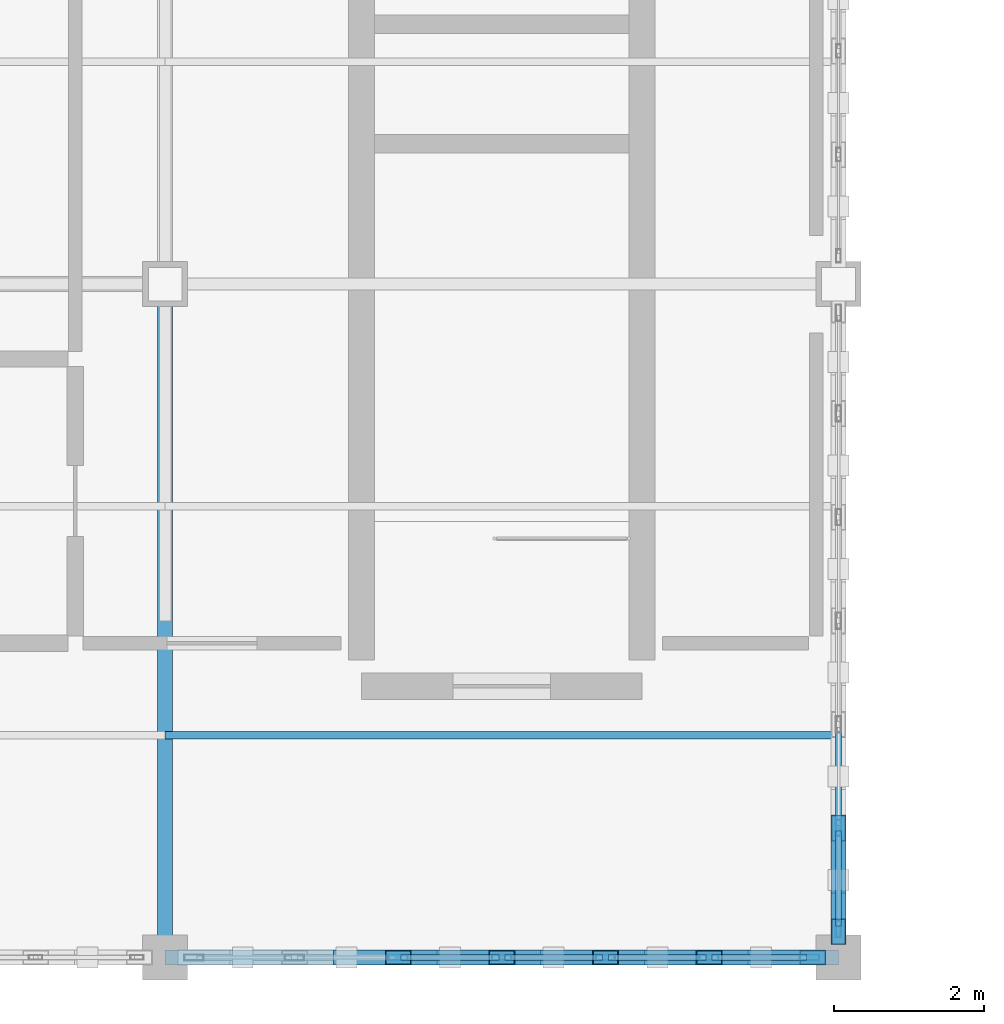
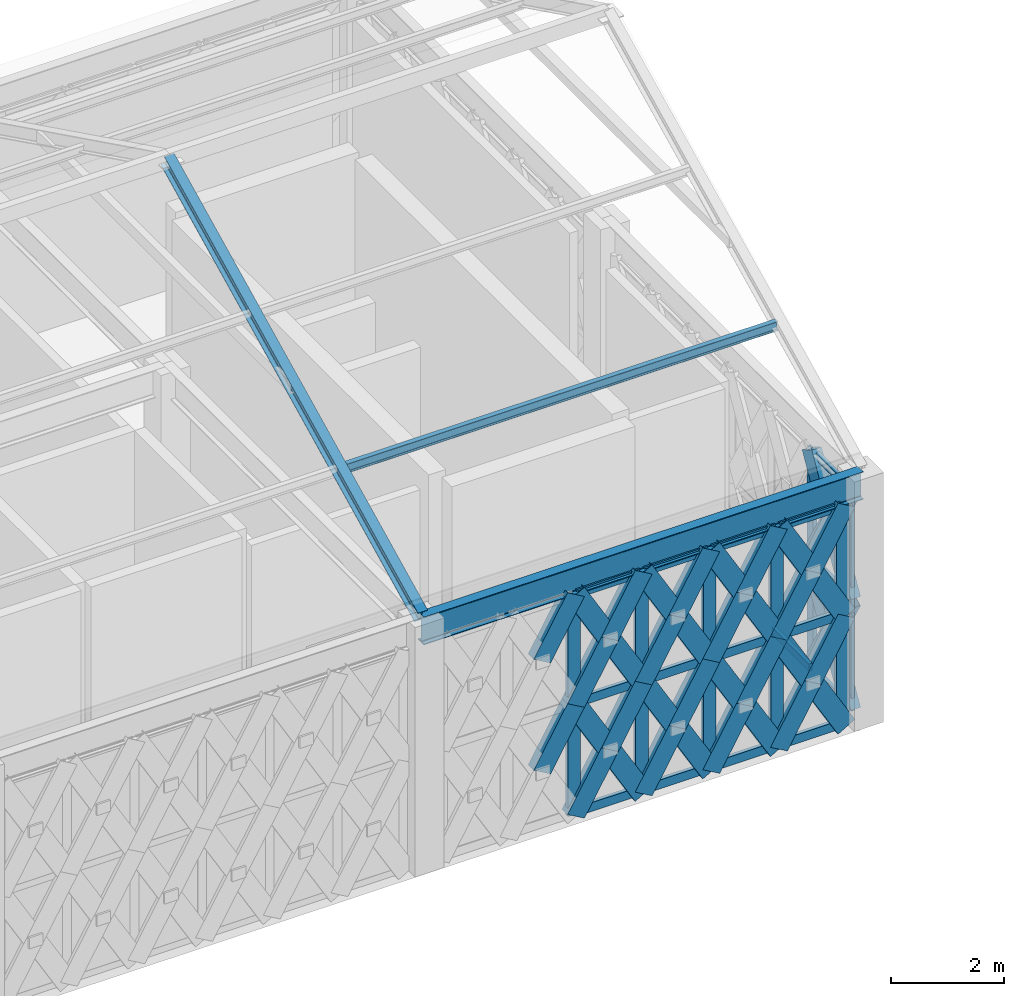
# One storey, part 14 of 32: 57 members, 1 beam, 2 elements without a shape of their own.
"""IFC4 building model written with IfcOpenShell, lengths in metres."""

from ifc_helpers import new_model, si_unit, direction, frame, origin, origin_2d, place, context, subcontext, project, spatial, hollow_rectangle, i_section, extrude, material, material_profile, profile_set, type_object, element, aggregate, save


model = new_model("IFC4")

# Units and contexts
model_context = context("Model", 3, precision=1e-05, world=origin(), true_north=direction((0.0, 1.0)))
body_context = subcontext(model_context, "Body", "Model", "MODEL_VIEW")
ifc_project = project(units=[si_unit("LENGTHUNIT", "METRE"), si_unit("AREAUNIT", "SQUARE_METRE"), si_unit("VOLUMEUNIT", "CUBIC_METRE"), si_unit("PLANEANGLEUNIT", "RADIAN"), si_unit("MASSUNIT", "GRAM", prefix="KILO")], contexts=[model_context])

# Site, building, storey
site_placement = place(None, origin())
site = spatial("IfcSite", under=ifc_project, at=site_placement, CompositionType="ELEMENT")
building_placement = place(site_placement, origin())
building = spatial("IfcBuilding", under=site, at=building_placement, Name="Haizhuo Lancet Aquarium", CompositionType="ELEMENT")
storey_placement = place(building_placement, frame((0.0, 0.0, 27.0)))
storey = spatial("IfcBuildingStorey", under=building, at=storey_placement, Name="L05", CompositionType="ELEMENT", Elevation=27.0)

# Beam
ifc_material_1 = material(Name="Steel S355", Category="steel")
ifc_material_profile_1 = material_profile(ifc_material_1, i_section(OverallWidth=0.199951171875, OverallDepth=0.60009765625, WebThickness=0.010986328125, FlangeThickness=0.01708984375, FilletRadius=0.02197265625, at=origin_2d()), Name="HN 600x200x11x17")
ifc_profile_set_1 = profile_set([ifc_material_profile_1], Name="Steel S355")
beam_type = type_object("IfcBeamType", Name="BM-ST-HN600", PredefinedType="BEAM", material=ifc_profile_set_1)
beam_placement = place(storey_placement, frame((-45.0, -27.0, 5.10009765625), z_axis=(1.0, 0.0, 0.0), x_axis=(0.0, 1.0, 0.0)))
element("IfcBeam", 1, at=beam_placement, inside=storey, type_object=beam_type, Name="L05 V6 primary girder BM-L05-V6-020", PredefinedType="BEAM", context=body_context, shape_type="SweptSolid", body=[
    extrude(i_section(OverallWidth=0.199951171875, OverallDepth=0.60009765625, WebThickness=0.010986328125, FlangeThickness=0.01708984375, FilletRadius=0.02197265625, at=origin_2d()), origin(), (0.0, 0.0, 1.0), 9.0),
])

# Curtain wall, members
ifc_material_2 = material(Name="Aluminium 6063-T6", Category="aluminium")
curtain_wall_type = type_object("IfcCurtainWallType", Name="CWD-8310x4800", PredefinedType="NOTDEFINED", material=ifc_material_2)
curtain_wall_1_placement = place(storey_placement, origin())
curtain_wall_1 = element("IfcCurtainWall", 2, at=curtain_wall_1_placement, inside=storey, type_object=curtain_wall_type, Name="L05 curtain wall CW-V6-L05-266", PredefinedType="NOTDEFINED")
ifc_material_profile_2 = material_profile(ifc_material_2, hollow_rectangle(XDim=0.074951171875, YDim=0.219970703125, WallThickness=0.0048828125, at=origin_2d()), Name="ALU-M 75x220x5")
ifc_profile_set_2 = profile_set([ifc_material_profile_2], Name="Aluminium 6063-T6")
member_type_1 = type_object("IfcMemberType", Name="CW-MUL-2", PredefinedType="MULLION", material=ifc_profile_set_2)
member_1_placement = place(storey_placement, frame((-36.0, -25.27001953125, 0.0), z_axis=(0.0, 0.0, 1.0), x_axis=(1.0, 0.0, 0.0)))
member_1 = element("IfcMember", 3, at=member_1_placement, type_object=member_type_1, Name="CWD-83x48 mullion 6", PredefinedType="MULLION", context=body_context, shape_type="SweptSolid", body=[
    extrude(hollow_rectangle(XDim=0.074951171875, YDim=0.219970703125, WallThickness=0.0048828125, at=origin_2d()), origin(), (0.0, 0.0, 1.0), 4.800048828125),
])
member_2_placement = place(storey_placement, frame((-36.0, -26.616943359375, 0.0), z_axis=(0.0, 0.0, 1.0), x_axis=(1.0, 0.0, 0.0)))
member_2 = element("IfcMember", 4, at=member_2_placement, type_object=member_type_1, Name="CWD-83x48 mullion 7", PredefinedType="MULLION", context=body_context, shape_type="SweptSolid", body=[
    extrude(hollow_rectangle(XDim=0.074951171875, YDim=0.219970703125, WallThickness=0.0048828125, at=origin_2d()), origin(), (0.0, 0.0, 1.0), 4.800048828125),
])

curtain_wall_2_placement = place(storey_placement, origin())
curtain_wall_2 = element("IfcCurtainWall", 5, at=curtain_wall_2_placement, inside=storey, type_object=curtain_wall_type, Name="L05 curtain wall CW-V6-L05-267", PredefinedType="NOTDEFINED")
ifc_material_profile_3 = material_profile(ifc_material_2, hollow_rectangle(XDim=0.080078125, YDim=0.260009765625, WallThickness=0.0048828125, at=origin_2d()), Name="ALU-M 80x260x5")
ifc_profile_set_3 = profile_set([ifc_material_profile_3], Name="Aluminium 6063-T6")
member_type_2 = type_object("IfcMemberType", Name="CW-MUL-3", PredefinedType="MULLION", material=ifc_profile_set_3)
member_3_placement = place(storey_placement, frame((-36.385009765625, -27.0, 0.0), z_axis=(0.0, 0.0, 1.0), x_axis=(0.0, -1.0, 0.0)))
member_3 = element("IfcMember", 6, at=member_3_placement, type_object=member_type_2, Name="CWD-83x48 mullion 1", PredefinedType="MULLION", context=body_context, shape_type="SweptSolid", body=[
    extrude(hollow_rectangle(XDim=0.080078125, YDim=0.260009765625, WallThickness=0.0048828125, at=origin_2d()), origin(), (0.0, 0.0, 1.0), 4.800048828125),
])
member_4_placement = place(storey_placement, frame((-37.72998046875, -27.0, 0.0), z_axis=(0.0, 0.0, 1.0), x_axis=(0.0, -1.0, 0.0)))
member_4 = element("IfcMember", 7, at=member_4_placement, type_object=member_type_2, Name="CWD-83x48 mullion 2", PredefinedType="MULLION", context=body_context, shape_type="SweptSolid", body=[
    extrude(hollow_rectangle(XDim=0.080078125, YDim=0.260009765625, WallThickness=0.0048828125, at=origin_2d()), origin(), (0.0, 0.0, 1.0), 4.800048828125),
])
member_5_placement = place(storey_placement, frame((-39.114990234375, -27.0, 0.0), z_axis=(0.0, 0.0, 1.0), x_axis=(0.0, -1.0, 0.0)))
member_5 = element("IfcMember", 8, at=member_5_placement, type_object=member_type_2, Name="CWD-83x48 mullion 3", PredefinedType="MULLION", context=body_context, shape_type="SweptSolid", body=[
    extrude(hollow_rectangle(XDim=0.080078125, YDim=0.260009765625, WallThickness=0.0048828125, at=origin_2d()), origin(), (0.0, 0.0, 1.0), 4.800048828125),
])
member_6_placement = place(storey_placement, frame((-40.5, -27.0, 0.0), z_axis=(0.0, 0.0, 1.0), x_axis=(0.0, -1.0, 0.0)))
member_6 = element("IfcMember", 9, at=member_6_placement, type_object=member_type_2, Name="CWD-83x48 mullion 4", PredefinedType="MULLION", context=body_context, shape_type="SweptSolid", body=[
    extrude(hollow_rectangle(XDim=0.080078125, YDim=0.260009765625, WallThickness=0.0048828125, at=origin_2d()), origin(), (0.0, 0.0, 1.0), 4.800048828125),
])
member_7_placement = place(storey_placement, frame((-41.885009765625, -27.0, 0.0), z_axis=(0.0, 0.0, 1.0), x_axis=(0.0, -1.0, 0.0)))
member_7 = element("IfcMember", 10, at=member_7_placement, type_object=member_type_2, Name="CWD-83x48 mullion 5", PredefinedType="MULLION", context=body_context, shape_type="SweptSolid", body=[
    extrude(hollow_rectangle(XDim=0.080078125, YDim=0.260009765625, WallThickness=0.0048828125, at=origin_2d()), origin(), (0.0, 0.0, 1.0), 4.800048828125),
])

# Member
ifc_material_profile_4 = material_profile(ifc_material_2, hollow_rectangle(XDim=0.074951171875, YDim=0.159912109375, WallThickness=0.00390625, at=origin_2d()), Name="ALU-T 75x160x4")
ifc_profile_set_4 = profile_set([ifc_material_profile_4], Name="Aluminium 6063-T6")
member_type_3 = type_object("IfcMemberType", Name="CW-TRN-2", PredefinedType="NOTDEFINED", material=ifc_profile_set_4)
member_8_placement = place(storey_placement, frame((-36.0, -23.922119140625, 0.0380859375), z_axis=(0.0, -1.0, 0.0), x_axis=(1.0, 0.0, 0.0)))
member_8 = element("IfcMember", 11, at=member_8_placement, type_object=member_type_3, Name="CWD-83x48 transom 5.1", ObjectType="TRANSOM", PredefinedType="USERDEFINED", context=body_context, shape_type="SweptSolid", body=[
    extrude(hollow_rectangle(XDim=0.074951171875, YDim=0.159912109375, WallThickness=0.00390625, at=origin_2d()), origin(), (0.0, 0.0, 1.0), 1.310791015625),
])

member_9_placement = place(storey_placement, frame((-36.0, -25.30810546875, 0.0380859375), z_axis=(0.0, -1.0, 0.0), x_axis=(1.0, 0.0, 0.0)))
member_9 = element("IfcMember", 12, at=member_9_placement, type_object=member_type_3, Name="CWD-83x48 transom 6.1", ObjectType="TRANSOM", PredefinedType="USERDEFINED", context=body_context, shape_type="SweptSolid", body=[
    extrude(hollow_rectangle(XDim=0.074951171875, YDim=0.159912109375, WallThickness=0.00390625, at=origin_2d()), origin(), (0.0, 0.0, 1.0), 1.27197265625),
])

member_10_placement = place(storey_placement, frame((-36.0, -25.30810546875, 2.39990234375), z_axis=(0.0, -1.0, 0.0), x_axis=(1.0, 0.0, 0.0)))
member_10 = element("IfcMember", 13, at=member_10_placement, type_object=member_type_3, Name="CWD-83x48 transom 6.2", ObjectType="TRANSOM", PredefinedType="USERDEFINED", context=body_context, shape_type="SweptSolid", body=[
    extrude(hollow_rectangle(XDim=0.074951171875, YDim=0.159912109375, WallThickness=0.00390625, at=origin_2d()), origin(), (0.0, 0.0, 1.0), 1.27197265625),
])

member_11_placement = place(storey_placement, frame((-36.0, -25.30810546875, 4.761962890625), z_axis=(0.0, -1.0, 0.0), x_axis=(1.0, 0.0, 0.0)))
member_11 = element("IfcMember", 14, at=member_11_placement, type_object=member_type_3, Name="CWD-83x48 transom 6.3", ObjectType="TRANSOM", PredefinedType="USERDEFINED", context=body_context, shape_type="SweptSolid", body=[
    extrude(hollow_rectangle(XDim=0.074951171875, YDim=0.159912109375, WallThickness=0.00390625, at=origin_2d()), origin(), (0.0, 0.0, 1.0), 1.27197265625),
])

aggregate(curtain_wall_1, [member_1, member_2, member_8, member_9, member_10, member_11])

ifc_material_profile_5 = material_profile(ifc_material_2, hollow_rectangle(XDim=0.080078125, YDim=0.18994140625, WallThickness=0.0048828125, at=origin_2d()), Name="ALU-T 80x190x5")
ifc_profile_set_5 = profile_set([ifc_material_profile_5], Name="Aluminium 6063-T6")
member_type_4 = type_object("IfcMemberType", Name="CW-TRN-3", PredefinedType="NOTDEFINED", material=ifc_profile_set_5)
member_12_placement = place(storey_placement, frame((-36.425048828125, -27.0, 0.0400390625), z_axis=(-1.0, 0.0, 0.0), x_axis=(0.0, -1.0, 0.0)))
member_12 = element("IfcMember", 15, at=member_12_placement, type_object=member_type_4, Name="CWD-83x48 transom 1.1", ObjectType="TRANSOM", PredefinedType="USERDEFINED", context=body_context, shape_type="SweptSolid", body=[
    extrude(hollow_rectangle(XDim=0.080078125, YDim=0.18994140625, WallThickness=0.0048828125, at=origin_2d()), origin(), (0.0, 0.0, 1.0), 1.264892578125),
])

member_13_placement = place(storey_placement, frame((-36.425048828125, -27.0, 2.39990234375), z_axis=(-1.0, 0.0, 0.0), x_axis=(0.0, -1.0, 0.0)))
member_13 = element("IfcMember", 16, at=member_13_placement, type_object=member_type_4, Name="CWD-83x48 transom 1.2", ObjectType="TRANSOM", PredefinedType="USERDEFINED", context=body_context, shape_type="SweptSolid", body=[
    extrude(hollow_rectangle(XDim=0.080078125, YDim=0.18994140625, WallThickness=0.0048828125, at=origin_2d()), origin(), (0.0, 0.0, 1.0), 1.264892578125),
])

member_14_placement = place(storey_placement, frame((-36.425048828125, -27.0, 4.760009765625), z_axis=(-1.0, 0.0, 0.0), x_axis=(0.0, -1.0, 0.0)))
member_14 = element("IfcMember", 17, at=member_14_placement, type_object=member_type_4, Name="CWD-83x48 transom 1.3", ObjectType="TRANSOM", PredefinedType="USERDEFINED", context=body_context, shape_type="SweptSolid", body=[
    extrude(hollow_rectangle(XDim=0.080078125, YDim=0.18994140625, WallThickness=0.0048828125, at=origin_2d()), origin(), (0.0, 0.0, 1.0), 1.264892578125),
])

member_15_placement = place(storey_placement, frame((-37.77001953125, -27.0, 0.0400390625), z_axis=(-1.0, 0.0, 0.0), x_axis=(0.0, -1.0, 0.0)))
member_15 = element("IfcMember", 18, at=member_15_placement, type_object=member_type_4, Name="CWD-83x48 transom 2.1", ObjectType="TRANSOM", PredefinedType="USERDEFINED", context=body_context, shape_type="SweptSolid", body=[
    extrude(hollow_rectangle(XDim=0.080078125, YDim=0.18994140625, WallThickness=0.0048828125, at=origin_2d()), origin(), (0.0, 0.0, 1.0), 1.304931640625),
])

member_16_placement = place(storey_placement, frame((-37.77001953125, -27.0, 2.39990234375), z_axis=(-1.0, 0.0, 0.0), x_axis=(0.0, -1.0, 0.0)))
member_16 = element("IfcMember", 19, at=member_16_placement, type_object=member_type_4, Name="CWD-83x48 transom 2.2", ObjectType="TRANSOM", PredefinedType="USERDEFINED", context=body_context, shape_type="SweptSolid", body=[
    extrude(hollow_rectangle(XDim=0.080078125, YDim=0.18994140625, WallThickness=0.0048828125, at=origin_2d()), origin(), (0.0, 0.0, 1.0), 1.304931640625),
])

member_17_placement = place(storey_placement, frame((-37.77001953125, -27.0, 4.760009765625), z_axis=(-1.0, 0.0, 0.0), x_axis=(0.0, -1.0, 0.0)))
member_17 = element("IfcMember", 20, at=member_17_placement, type_object=member_type_4, Name="CWD-83x48 transom 2.3", ObjectType="TRANSOM", PredefinedType="USERDEFINED", context=body_context, shape_type="SweptSolid", body=[
    extrude(hollow_rectangle(XDim=0.080078125, YDim=0.18994140625, WallThickness=0.0048828125, at=origin_2d()), origin(), (0.0, 0.0, 1.0), 1.304931640625),
])

member_18_placement = place(storey_placement, frame((-39.155029296875, -27.0, 0.0400390625), z_axis=(-1.0, 0.0, 0.0), x_axis=(0.0, -1.0, 0.0)))
member_18 = element("IfcMember", 21, at=member_18_placement, type_object=member_type_4, Name="CWD-83x48 transom 3.1", ObjectType="TRANSOM", PredefinedType="USERDEFINED", context=body_context, shape_type="SweptSolid", body=[
    extrude(hollow_rectangle(XDim=0.080078125, YDim=0.18994140625, WallThickness=0.0048828125, at=origin_2d()), origin(), (0.0, 0.0, 1.0), 1.304931640625),
])

member_19_placement = place(storey_placement, frame((-39.155029296875, -27.0, 2.39990234375), z_axis=(-1.0, 0.0, 0.0), x_axis=(0.0, -1.0, 0.0)))
member_19 = element("IfcMember", 22, at=member_19_placement, type_object=member_type_4, Name="CWD-83x48 transom 3.2", ObjectType="TRANSOM", PredefinedType="USERDEFINED", context=body_context, shape_type="SweptSolid", body=[
    extrude(hollow_rectangle(XDim=0.080078125, YDim=0.18994140625, WallThickness=0.0048828125, at=origin_2d()), origin(), (0.0, 0.0, 1.0), 1.304931640625),
])

member_20_placement = place(storey_placement, frame((-39.155029296875, -27.0, 4.760009765625), z_axis=(-1.0, 0.0, 0.0), x_axis=(0.0, -1.0, 0.0)))
member_20 = element("IfcMember", 23, at=member_20_placement, type_object=member_type_4, Name="CWD-83x48 transom 3.3", ObjectType="TRANSOM", PredefinedType="USERDEFINED", context=body_context, shape_type="SweptSolid", body=[
    extrude(hollow_rectangle(XDim=0.080078125, YDim=0.18994140625, WallThickness=0.0048828125, at=origin_2d()), origin(), (0.0, 0.0, 1.0), 1.304931640625),
])

member_21_placement = place(storey_placement, frame((-40.5400390625, -27.0, 0.0400390625), z_axis=(-1.0, 0.0, 0.0), x_axis=(0.0, -1.0, 0.0)))
member_21 = element("IfcMember", 24, at=member_21_placement, type_object=member_type_4, Name="CWD-83x48 transom 4.1", ObjectType="TRANSOM", PredefinedType="USERDEFINED", context=body_context, shape_type="SweptSolid", body=[
    extrude(hollow_rectangle(XDim=0.080078125, YDim=0.18994140625, WallThickness=0.0048828125, at=origin_2d()), origin(), (0.0, 0.0, 1.0), 1.304931640625),
])

member_22_placement = place(storey_placement, frame((-40.5400390625, -27.0, 2.39990234375), z_axis=(-1.0, 0.0, 0.0), x_axis=(0.0, -1.0, 0.0)))
member_22 = element("IfcMember", 25, at=member_22_placement, type_object=member_type_4, Name="CWD-83x48 transom 4.2", ObjectType="TRANSOM", PredefinedType="USERDEFINED", context=body_context, shape_type="SweptSolid", body=[
    extrude(hollow_rectangle(XDim=0.080078125, YDim=0.18994140625, WallThickness=0.0048828125, at=origin_2d()), origin(), (0.0, 0.0, 1.0), 1.304931640625),
])

member_23_placement = place(storey_placement, frame((-40.5400390625, -27.0, 4.760009765625), z_axis=(-1.0, 0.0, 0.0), x_axis=(0.0, -1.0, 0.0)))
member_23 = element("IfcMember", 26, at=member_23_placement, type_object=member_type_4, Name="CWD-83x48 transom 4.3", ObjectType="TRANSOM", PredefinedType="USERDEFINED", context=body_context, shape_type="SweptSolid", body=[
    extrude(hollow_rectangle(XDim=0.080078125, YDim=0.18994140625, WallThickness=0.0048828125, at=origin_2d()), origin(), (0.0, 0.0, 1.0), 1.304931640625),
])

aggregate(curtain_wall_2, [member_3, member_4, member_5, member_6, member_7, member_12, member_13, member_14, member_15, member_16, member_17, member_18, member_19, member_20, member_21, member_22, member_23])

# Members
ifc_material_profile_6 = material_profile(ifc_material_1, hollow_rectangle(XDim=0.199951171875, YDim=0.39990234375, WallThickness=0.011962890625, at=origin_2d()), Name="RHS 200x400x12")
ifc_profile_set_6 = profile_set([ifc_material_profile_6], Name="Steel S355")
member_type_5 = type_object("IfcMemberType", Name="MEM-LB-RHS200x400", PredefinedType="BRACE", material=ifc_profile_set_6)
member_24_placement = place(storey_placement, frame((-36.0, -25.27001953125, 0.0), z_axis=(0.0, -0.499844491261, 0.866115168182), x_axis=(1.0, 0.0, 0.0)))
element("IfcMember", 27, at=member_24_placement, inside=storey, type_object=member_type_5, Name="Gothic lancet continuous diagonal brace CW-V6-L05-266 11A", PredefinedType="BRACE", context=body_context, shape_type="SweptSolid", body=[
    extrude(hollow_rectangle(XDim=0.199951171875, YDim=0.39990234375, WallThickness=0.011962890625, at=origin_2d()), origin(), (0.0, 0.0, 1.0), 2.77099609375),
])
member_25_placement = place(storey_placement, frame((-36.0, -26.655029296875, 0.0), z_axis=(0.0, 0.500174860769, 0.865924424332), x_axis=(-1.0, 0.0, 0.0)))
element("IfcMember", 28, at=member_25_placement, inside=storey, type_object=member_type_5, Name="Gothic lancet split diagonal brace CW-V6-L05-266 11B1", PredefinedType="BRACE", context=body_context, shape_type="SweptSolid", body=[
    extrude(hollow_rectangle(XDim=0.199951171875, YDim=0.39990234375, WallThickness=0.011962890625, at=origin_2d()), origin(), (0.0, 0.0, 1.0), 1.3857421875),
])
member_26_placement = place(storey_placement, frame((-36.0, -25.9619140625, 1.199951171875), z_axis=(0.0, 0.499513903435, 0.86630586993), x_axis=(-1.0, 0.0, 0.0)))
element("IfcMember", 29, at=member_26_placement, inside=storey, type_object=member_type_5, Name="Gothic lancet split diagonal brace CW-V6-L05-266 11B2", PredefinedType="BRACE", context=body_context, shape_type="SweptSolid", body=[
    extrude(hollow_rectangle(XDim=0.199951171875, YDim=0.39990234375, WallThickness=0.011962890625, at=origin_2d()), origin(), (0.0, 0.0, 1.0), 1.38525390625),
])
member_27_placement = place(storey_placement, frame((-36.0, -25.27001953125, 2.39990234375), z_axis=(0.0, -0.499806349121, 0.866137179307), x_axis=(1.0, 0.0, 0.0)))
element("IfcMember", 30, at=member_27_placement, inside=storey, type_object=member_type_5, Name="Gothic lancet continuous diagonal brace CW-V6-L05-266 12A", PredefinedType="BRACE", context=body_context, shape_type="SweptSolid", body=[
    extrude(hollow_rectangle(XDim=0.199951171875, YDim=0.39990234375, WallThickness=0.011962890625, at=origin_2d()), origin(), (0.0, 0.0, 1.0), 2.77099609375),
])
member_28_placement = place(storey_placement, frame((-36.0, -26.655029296875, 2.39990234375), z_axis=(0.0, 0.500098564532, 0.865968490046), x_axis=(-1.0, 0.0, 0.0)))
element("IfcMember", 31, at=member_28_placement, inside=storey, type_object=member_type_5, Name="Gothic lancet split diagonal brace CW-V6-L05-266 12B1", PredefinedType="BRACE", context=body_context, shape_type="SweptSolid", body=[
    extrude(hollow_rectangle(XDim=0.199951171875, YDim=0.39990234375, WallThickness=0.011962890625, at=origin_2d()), origin(), (0.0, 0.0, 1.0), 1.385986328125),
])
member_29_placement = place(storey_placement, frame((-36.0, -25.9619140625, 3.60009765625), z_axis=(0.0, 0.499513903435, 0.86630586993), x_axis=(-1.0, 0.0, 0.0)))
element("IfcMember", 32, at=member_29_placement, inside=storey, type_object=member_type_5, Name="Gothic lancet split diagonal brace CW-V6-L05-266 12B2", PredefinedType="BRACE", context=body_context, shape_type="SweptSolid", body=[
    extrude(hollow_rectangle(XDim=0.199951171875, YDim=0.39990234375, WallThickness=0.011962890625, at=origin_2d()), origin(), (0.0, 0.0, 1.0), 1.38525390625),
])
member_30_placement = place(storey_placement, frame((-36.344970703125, -27.0, 0.0), z_axis=(-0.499844491261, 0.0, 0.866115168182), x_axis=(0.0, -1.0, 0.0)))
element("IfcMember", 33, at=member_30_placement, inside=storey, type_object=member_type_5, Name="Gothic lancet continuous diagonal brace CW-V6-L05-267 1A", PredefinedType="BRACE", context=body_context, shape_type="SweptSolid", body=[
    extrude(hollow_rectangle(XDim=0.199951171875, YDim=0.39990234375, WallThickness=0.011962890625, at=origin_2d()), origin(), (0.0, 0.0, 1.0), 2.77099609375),
])
member_31_placement = place(storey_placement, frame((-37.72998046875, -27.0, 0.0), z_axis=(0.500042739161, 0.0, 0.866000726912), x_axis=(0.0, 1.0, 0.0)))
element("IfcMember", 34, at=member_31_placement, inside=storey, type_object=member_type_5, Name="Gothic lancet split diagonal brace CW-V6-L05-267 1B1", PredefinedType="BRACE", context=body_context, shape_type="SweptSolid", body=[
    extrude(hollow_rectangle(XDim=0.199951171875, YDim=0.39990234375, WallThickness=0.011962890625, at=origin_2d()), origin(), (0.0, 0.0, 1.0), 1.3857421875),
])
member_32_placement = place(storey_placement, frame((-37.037109375, -27.0, 1.199951171875), z_axis=(0.499646164767, 0.0, 0.866229594296), x_axis=(0.0, 1.0, 0.0)))
element("IfcMember", 35, at=member_32_placement, inside=storey, type_object=member_type_5, Name="Gothic lancet split diagonal brace CW-V6-L05-267 1B2", PredefinedType="BRACE", context=body_context, shape_type="SweptSolid", body=[
    extrude(hollow_rectangle(XDim=0.199951171875, YDim=0.39990234375, WallThickness=0.011962890625, at=origin_2d()), origin(), (0.0, 0.0, 1.0), 1.38525390625),
])
member_33_placement = place(storey_placement, frame((-36.344970703125, -27.0, 2.39990234375), z_axis=(-0.499806349121, 0.0, 0.866137179307), x_axis=(0.0, -1.0, 0.0)))
element("IfcMember", 36, at=member_33_placement, inside=storey, type_object=member_type_5, Name="Gothic lancet continuous diagonal brace CW-V6-L05-267 2A", PredefinedType="BRACE", context=body_context, shape_type="SweptSolid", body=[
    extrude(hollow_rectangle(XDim=0.199951171875, YDim=0.39990234375, WallThickness=0.011962890625, at=origin_2d()), origin(), (0.0, 0.0, 1.0), 2.77099609375),
])
member_34_placement = place(storey_placement, frame((-37.72998046875, -27.0, 2.39990234375), z_axis=(0.499966449638, 0.0, 0.866044773228), x_axis=(0.0, 1.0, 0.0)))
element("IfcMember", 37, at=member_34_placement, inside=storey, type_object=member_type_5, Name="Gothic lancet split diagonal brace CW-V6-L05-267 2B1", PredefinedType="BRACE", context=body_context, shape_type="SweptSolid", body=[
    extrude(hollow_rectangle(XDim=0.199951171875, YDim=0.39990234375, WallThickness=0.011962890625, at=origin_2d()), origin(), (0.0, 0.0, 1.0), 1.3857421875),
])
member_35_placement = place(storey_placement, frame((-37.037109375, -27.0, 3.60009765625), z_axis=(0.499646164767, 0.0, 0.866229594296), x_axis=(0.0, 1.0, 0.0)))
element("IfcMember", 38, at=member_35_placement, inside=storey, type_object=member_type_5, Name="Gothic lancet split diagonal brace CW-V6-L05-267 2B2", PredefinedType="BRACE", context=body_context, shape_type="SweptSolid", body=[
    extrude(hollow_rectangle(XDim=0.199951171875, YDim=0.39990234375, WallThickness=0.011962890625, at=origin_2d()), origin(), (0.0, 0.0, 1.0), 1.38525390625),
])
member_36_placement = place(storey_placement, frame((-37.72998046875, -27.0, 0.0), z_axis=(-0.499844491261, 0.0, 0.866115168182), x_axis=(0.0, -1.0, 0.0)))
element("IfcMember", 39, at=member_36_placement, inside=storey, type_object=member_type_5, Name="Gothic lancet continuous diagonal brace CW-V6-L05-267 3A", PredefinedType="BRACE", context=body_context, shape_type="SweptSolid", body=[
    extrude(hollow_rectangle(XDim=0.199951171875, YDim=0.39990234375, WallThickness=0.011962890625, at=origin_2d()), origin(), (0.0, 0.0, 1.0), 2.77099609375),
])
member_37_placement = place(storey_placement, frame((-39.114990234375, -27.0, 0.0), z_axis=(0.500042739161, 0.0, 0.866000726912), x_axis=(0.0, 1.0, 0.0)))
element("IfcMember", 40, at=member_37_placement, inside=storey, type_object=member_type_5, Name="Gothic lancet split diagonal brace CW-V6-L05-267 3B1", PredefinedType="BRACE", context=body_context, shape_type="SweptSolid", body=[
    extrude(hollow_rectangle(XDim=0.199951171875, YDim=0.39990234375, WallThickness=0.011962890625, at=origin_2d()), origin(), (0.0, 0.0, 1.0), 1.3857421875),
])
member_38_placement = place(storey_placement, frame((-38.422119140625, -27.0, 1.199951171875), z_axis=(0.499646164767, 0.0, 0.866229594296), x_axis=(0.0, 1.0, 0.0)))
element("IfcMember", 41, at=member_38_placement, inside=storey, type_object=member_type_5, Name="Gothic lancet split diagonal brace CW-V6-L05-267 3B2", PredefinedType="BRACE", context=body_context, shape_type="SweptSolid", body=[
    extrude(hollow_rectangle(XDim=0.199951171875, YDim=0.39990234375, WallThickness=0.011962890625, at=origin_2d()), origin(), (0.0, 0.0, 1.0), 1.38525390625),
])
member_39_placement = place(storey_placement, frame((-37.72998046875, -27.0, 2.39990234375), z_axis=(-0.499806349121, 0.0, 0.866137179307), x_axis=(0.0, -1.0, 0.0)))
element("IfcMember", 42, at=member_39_placement, inside=storey, type_object=member_type_5, Name="Gothic lancet continuous diagonal brace CW-V6-L05-267 4A", PredefinedType="BRACE", context=body_context, shape_type="SweptSolid", body=[
    extrude(hollow_rectangle(XDim=0.199951171875, YDim=0.39990234375, WallThickness=0.011962890625, at=origin_2d()), origin(), (0.0, 0.0, 1.0), 2.77099609375),
])
member_40_placement = place(storey_placement, frame((-39.114990234375, -27.0, 2.39990234375), z_axis=(0.499966449638, 0.0, 0.866044773228), x_axis=(0.0, 1.0, 0.0)))
element("IfcMember", 43, at=member_40_placement, inside=storey, type_object=member_type_5, Name="Gothic lancet split diagonal brace CW-V6-L05-267 4B1", PredefinedType="BRACE", context=body_context, shape_type="SweptSolid", body=[
    extrude(hollow_rectangle(XDim=0.199951171875, YDim=0.39990234375, WallThickness=0.011962890625, at=origin_2d()), origin(), (0.0, 0.0, 1.0), 1.3857421875),
])
member_41_placement = place(storey_placement, frame((-38.422119140625, -27.0, 3.60009765625), z_axis=(0.499646164767, 0.0, 0.866229594296), x_axis=(0.0, 1.0, 0.0)))
element("IfcMember", 44, at=member_41_placement, inside=storey, type_object=member_type_5, Name="Gothic lancet split diagonal brace CW-V6-L05-267 4B2", PredefinedType="BRACE", context=body_context, shape_type="SweptSolid", body=[
    extrude(hollow_rectangle(XDim=0.199951171875, YDim=0.39990234375, WallThickness=0.011962890625, at=origin_2d()), origin(), (0.0, 0.0, 1.0), 1.38525390625),
])
member_42_placement = place(storey_placement, frame((-39.114990234375, -27.0, 0.0), z_axis=(-0.499844491261, 0.0, 0.866115168182), x_axis=(0.0, -1.0, 0.0)))
element("IfcMember", 45, at=member_42_placement, inside=storey, type_object=member_type_5, Name="Gothic lancet continuous diagonal brace CW-V6-L05-267 5A", PredefinedType="BRACE", context=body_context, shape_type="SweptSolid", body=[
    extrude(hollow_rectangle(XDim=0.199951171875, YDim=0.39990234375, WallThickness=0.011962890625, at=origin_2d()), origin(), (0.0, 0.0, 1.0), 2.77099609375),
])
member_43_placement = place(storey_placement, frame((-40.5, -27.0, 0.0), z_axis=(0.499513903435, 0.0, 0.86630586993), x_axis=(0.0, 1.0, 0.0)))
element("IfcMember", 46, at=member_43_placement, inside=storey, type_object=member_type_5, Name="Gothic lancet split diagonal brace CW-V6-L05-267 5B1", PredefinedType="BRACE", context=body_context, shape_type="SweptSolid", body=[
    extrude(hollow_rectangle(XDim=0.199951171875, YDim=0.39990234375, WallThickness=0.011962890625, at=origin_2d()), origin(), (0.0, 0.0, 1.0), 1.38525390625),
])
member_44_placement = place(storey_placement, frame((-39.80810546875, -27.0, 1.199951171875), z_axis=(0.500174860769, 0.0, 0.865924424332), x_axis=(0.0, 1.0, 0.0)))
element("IfcMember", 47, at=member_44_placement, inside=storey, type_object=member_type_5, Name="Gothic lancet split diagonal brace CW-V6-L05-267 5B2", PredefinedType="BRACE", context=body_context, shape_type="SweptSolid", body=[
    extrude(hollow_rectangle(XDim=0.199951171875, YDim=0.39990234375, WallThickness=0.011962890625, at=origin_2d()), origin(), (0.0, 0.0, 1.0), 1.3857421875),
])
member_45_placement = place(storey_placement, frame((-39.114990234375, -27.0, 2.39990234375), z_axis=(-0.499806349121, 0.0, 0.866137179307), x_axis=(0.0, -1.0, 0.0)))
element("IfcMember", 48, at=member_45_placement, inside=storey, type_object=member_type_5, Name="Gothic lancet continuous diagonal brace CW-V6-L05-267 6A", PredefinedType="BRACE", context=body_context, shape_type="SweptSolid", body=[
    extrude(hollow_rectangle(XDim=0.199951171875, YDim=0.39990234375, WallThickness=0.011962890625, at=origin_2d()), origin(), (0.0, 0.0, 1.0), 2.77099609375),
])
member_46_placement = place(storey_placement, frame((-40.5, -27.0, 2.39990234375), z_axis=(0.499437640892, 0.0, 0.866349838611), x_axis=(0.0, 1.0, 0.0)))
element("IfcMember", 49, at=member_46_placement, inside=storey, type_object=member_type_5, Name="Gothic lancet split diagonal brace CW-V6-L05-267 6B1", PredefinedType="BRACE", context=body_context, shape_type="SweptSolid", body=[
    extrude(hollow_rectangle(XDim=0.199951171875, YDim=0.39990234375, WallThickness=0.011962890625, at=origin_2d()), origin(), (0.0, 0.0, 1.0), 1.38525390625),
])
member_47_placement = place(storey_placement, frame((-39.80810546875, -27.0, 3.60009765625), z_axis=(0.500174860769, 0.0, 0.865924424332), x_axis=(0.0, 1.0, 0.0)))
element("IfcMember", 50, at=member_47_placement, inside=storey, type_object=member_type_5, Name="Gothic lancet split diagonal brace CW-V6-L05-267 6B2", PredefinedType="BRACE", context=body_context, shape_type="SweptSolid", body=[
    extrude(hollow_rectangle(XDim=0.199951171875, YDim=0.39990234375, WallThickness=0.011962890625, at=origin_2d()), origin(), (0.0, 0.0, 1.0), 1.3857421875),
])
member_48_placement = place(storey_placement, frame((-40.5, -27.0, 0.0), z_axis=(-0.499844491261, 0.0, 0.866115168182), x_axis=(0.0, -1.0, 0.0)))
element("IfcMember", 51, at=member_48_placement, inside=storey, type_object=member_type_5, Name="Gothic lancet continuous diagonal brace CW-V6-L05-267 7A", PredefinedType="BRACE", context=body_context, shape_type="SweptSolid", body=[
    extrude(hollow_rectangle(XDim=0.199951171875, YDim=0.39990234375, WallThickness=0.011962890625, at=origin_2d()), origin(), (0.0, 0.0, 1.0), 2.77099609375),
])
member_49_placement = place(storey_placement, frame((-41.885009765625, -27.0, 0.0), z_axis=(0.500174860769, 0.0, 0.865924424332), x_axis=(0.0, 1.0, 0.0)))
element("IfcMember", 52, at=member_49_placement, inside=storey, type_object=member_type_5, Name="Gothic lancet split diagonal brace CW-V6-L05-267 7B1", PredefinedType="BRACE", context=body_context, shape_type="SweptSolid", body=[
    extrude(hollow_rectangle(XDim=0.199951171875, YDim=0.39990234375, WallThickness=0.011962890625, at=origin_2d()), origin(), (0.0, 0.0, 1.0), 1.3857421875),
])
member_50_placement = place(storey_placement, frame((-41.19189453125, -27.0, 1.199951171875), z_axis=(0.499513903435, 0.0, 0.86630586993), x_axis=(0.0, 1.0, 0.0)))
element("IfcMember", 53, at=member_50_placement, inside=storey, type_object=member_type_5, Name="Gothic lancet split diagonal brace CW-V6-L05-267 7B2", PredefinedType="BRACE", context=body_context, shape_type="SweptSolid", body=[
    extrude(hollow_rectangle(XDim=0.199951171875, YDim=0.39990234375, WallThickness=0.011962890625, at=origin_2d()), origin(), (0.0, 0.0, 1.0), 1.38525390625),
])
member_51_placement = place(storey_placement, frame((-40.5, -27.0, 2.39990234375), z_axis=(-0.499806349121, 0.0, 0.866137179307), x_axis=(0.0, -1.0, 0.0)))
element("IfcMember", 54, at=member_51_placement, inside=storey, type_object=member_type_5, Name="Gothic lancet continuous diagonal brace CW-V6-L05-267 8A", PredefinedType="BRACE", context=body_context, shape_type="SweptSolid", body=[
    extrude(hollow_rectangle(XDim=0.199951171875, YDim=0.39990234375, WallThickness=0.011962890625, at=origin_2d()), origin(), (0.0, 0.0, 1.0), 2.77099609375),
])
member_52_placement = place(storey_placement, frame((-41.885009765625, -27.0, 2.39990234375), z_axis=(0.500098564532, 0.0, 0.865968490046), x_axis=(0.0, 1.0, 0.0)))
element("IfcMember", 55, at=member_52_placement, inside=storey, type_object=member_type_5, Name="Gothic lancet split diagonal brace CW-V6-L05-267 8B1", PredefinedType="BRACE", context=body_context, shape_type="SweptSolid", body=[
    extrude(hollow_rectangle(XDim=0.199951171875, YDim=0.39990234375, WallThickness=0.011962890625, at=origin_2d()), origin(), (0.0, 0.0, 1.0), 1.385986328125),
])
member_53_placement = place(storey_placement, frame((-41.19189453125, -27.0, 3.60009765625), z_axis=(0.499513903435, 0.0, 0.86630586993), x_axis=(0.0, 1.0, 0.0)))
element("IfcMember", 56, at=member_53_placement, inside=storey, type_object=member_type_5, Name="Gothic lancet split diagonal brace CW-V6-L05-267 8B2", PredefinedType="BRACE", context=body_context, shape_type="SweptSolid", body=[
    extrude(hollow_rectangle(XDim=0.199951171875, YDim=0.39990234375, WallThickness=0.011962890625, at=origin_2d()), origin(), (0.0, 0.0, 1.0), 1.38525390625),
])
for number, where, z_axis, x_axis, name in (
    (57, (-42.577880859375, -27.0, 1.199951171875), (0.500042739161, 0.0, 0.866000726912), (0.0, 1.0, 0.0), "Gothic lancet split diagonal brace CW-V6-L05-267 9B2"),
    (58, (-42.577880859375, -27.0, 3.60009765625), (0.500042739161, 0.0, 0.866000726912), (0.0, 1.0, 0.0), "Gothic lancet split diagonal brace CW-V6-L05-267 10B2"),
):
    element("IfcMember", number, at=place(storey_placement, frame(where, z_axis=z_axis, x_axis=x_axis)), inside=storey, type_object=member_type_5, Name=name, PredefinedType="BRACE", context=body_context, shape_type="SweptSolid", body=[
        extrude(hollow_rectangle(XDim=0.199951171875, YDim=0.39990234375, WallThickness=0.011962890625, at=origin_2d()), origin(), (0.0, 0.0, 1.0), 1.3857421875),
    ])
ifc_material_profile_7 = material_profile(ifc_material_1, i_section(OverallWidth=0.10009765625, OverallDepth=0.199951171875, WebThickness=0.005615234375, FlangeThickness=0.008056640625, FilletRadius=0.008056640625, at=origin_2d()), Name="HN 200x100x5.5x8")
ifc_profile_set_7 = profile_set([ifc_material_profile_7], Name="Steel S355")
member_type_6 = type_object("IfcMemberType", Name="MEM-PR-HN200", PredefinedType="PURLIN", material=ifc_profile_set_7)
member_54_placement = place(storey_placement, frame((-45.0, -24.030029296875, 6.72412109375), z_axis=(1.0, 0.0, 0.0), x_axis=(0.0, 1.0, 0.0)))
element("IfcMember", 59, at=member_54_placement, inside=storey, type_object=member_type_6, Name="V6 south roof purlin 4", PredefinedType="PURLIN", context=body_context, shape_type="SweptSolid", body=[
    extrude(i_section(OverallWidth=0.10009765625, OverallDepth=0.199951171875, WebThickness=0.005615234375, FlangeThickness=0.008056640625, FilletRadius=0.008056640625, at=origin_2d()), origin(), (0.0, 0.0, 1.0), 9.0),
])
ifc_material_profile_8 = material_profile(ifc_material_1, i_section(OverallWidth=0.199951171875, OverallDepth=0.2939453125, WebThickness=0.008056640625, FlangeThickness=0.011962890625, FilletRadius=0.01611328125, at=origin_2d()), Name="HM 294x200x8x12")
ifc_profile_set_8 = profile_set([ifc_material_profile_8], Name="Steel S355")
member_type_7 = type_object("IfcMemberType", Name="MEM-RF-HM294", PredefinedType="RAFTER", material=ifc_profile_set_8)
member_55_placement = place(storey_placement, frame((-45.0, -27.0, 5.3701171875), z_axis=(0.0, 0.897010851352, 0.44200852091), x_axis=(-1.0, 0.0, 0.0)))
element("IfcMember", 60, at=member_55_placement, inside=storey, type_object=member_type_7, Name="V6 Gothic pitched roof south rafter 4", PredefinedType="RAFTER", context=body_context, shape_type="SweptSolid", body=[
    extrude(i_section(OverallWidth=0.199951171875, OverallDepth=0.2939453125, WebThickness=0.008056640625, FlangeThickness=0.011962890625, FilletRadius=0.01611328125, at=origin_2d()), origin(), (0.0, 0.0, 1.0), 10.033203125),
])

save(model, "model.ifc")
